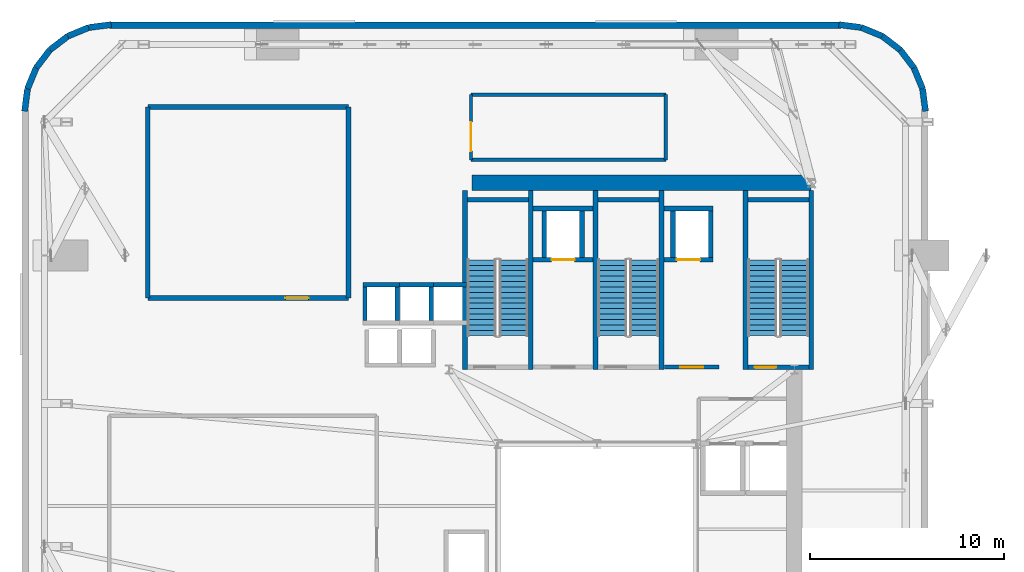
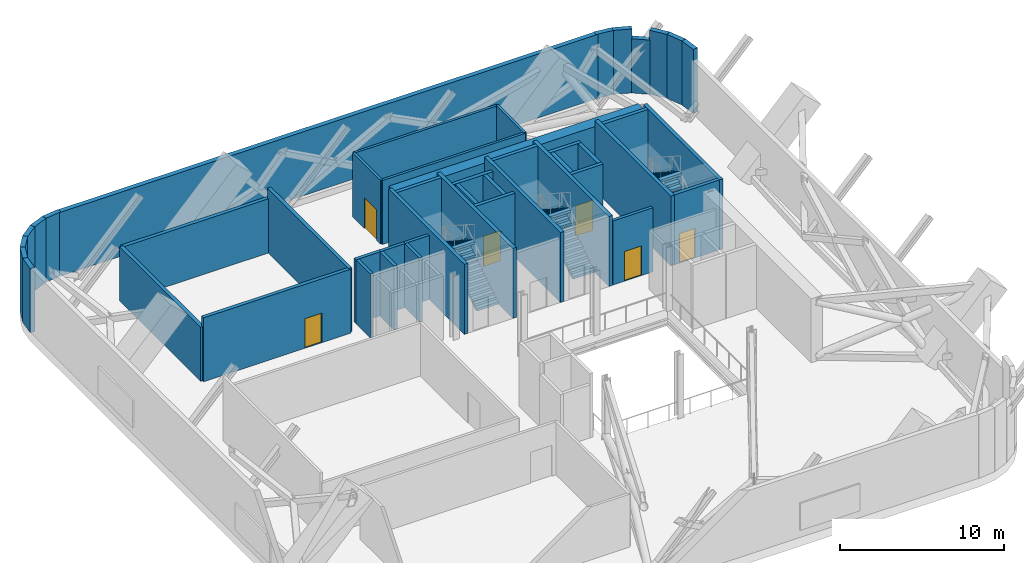
# One storey, part 9 of 12: 47 walls, 6 doors, 6 stair flights, 6 openings, 3 elements without a shape of their own.
"""IFC4 building model written with IfcOpenShell, lengths in metres."""

from ifc_helpers import new_model, si_unit, direction, frame, frame_2d, origin, place, context, subcontext, project, spatial, polyline, rectangle, outline, extrude, source, transform, mapped, material, layer, layer_set, type_object, element, fill, aggregate, save


model = new_model("IFC4")

# Units and contexts
model_context = context("Model", 3, precision=1e-05, world=origin(), true_north=direction((0.0, 1.0)))
body_context = subcontext(model_context, "Body", "Model", "MODEL_VIEW")
ifc_project = project(units=[si_unit("LENGTHUNIT", "METRE"), si_unit("AREAUNIT", "SQUARE_METRE"), si_unit("VOLUMEUNIT", "CUBIC_METRE"), si_unit("PLANEANGLEUNIT", "RADIAN"), si_unit("MASSUNIT", "GRAM", prefix="KILO")], contexts=[model_context])

# Site, building, storey
site_placement = place(None, origin())
site = spatial("IfcSite", under=ifc_project, at=site_placement, CompositionType="ELEMENT")
building_placement = place(site_placement, origin())
building = spatial("IfcBuilding", under=site, at=building_placement, Name="Vardaveli Station Tower", CompositionType="ELEMENT")
storey_placement = place(building_placement, frame((0.0, 0.0, 166.800048828125)))
storey = spatial("IfcBuildingStorey", under=building, at=storey_placement, Name="L43", CompositionType="ELEMENT", Elevation=166.800048828125)

# Walls
ifc_material_1 = material(Name="Concrete C50/60", Category="concrete")
ifc_layer_1 = layer(ifc_material_1, 0.800048828125, Name="Concrete C50/60")
ifc_layer_set_1 = layer_set([ifc_layer_1], Name="Concrete C50/60")
wall_type_1 = type_object("IfcWallType", Name="WAL-CORE-800", PredefinedType="SHEAR", material=ifc_layer_set_1)
shared_shape_1 = source(origin(), body_context, "Body", "SweptSolid", [
    extrude(rectangle(XDim=17.52001953125, YDim=0.800048828125, at=frame_2d((8.760009765625, 0.0))), origin(), (0.0, 0.0, 1.0), 4.75),
])
wall_1_placement = place(storey_placement, frame((29.85009765625, 40.300048828125, 0.0), z_axis=(0.0, 0.0, 1.0), x_axis=(1.0, 0.0, 0.0)))
element("IfcWall", 1, at=wall_1_placement, inside=storey, type_object=wall_type_1, Name="SW-L43-NORTH", PredefinedType="SHEAR", context=body_context, shape_type="MappedRepresentation", body=[
    mapped(shared_shape_1, transform((0.0, 0.0, 0.0), scale=1.0)),
])
ifc_material_2 = material(Name="Precast concrete C45/55", Category="concrete")
ifc_layer_2 = layer(ifc_material_2, 0.320068359375, Name="Precast concrete C45/55")
ifc_layer_set_2 = layer_set([ifc_layer_2], Name="Precast concrete C45/55")
wall_type_2 = type_object("IfcWallType", Name="WAL-EXT-STONE-320", PredefinedType="SOLIDWALL", material=ifc_layer_set_2)
shared_shape_2 = source(origin(), body_context, "Body", "SweptSolid", [
    extrude(rectangle(XDim=37.7998046875, YDim=0.320068359375, at=frame_2d((18.89990234375, 0.0))), origin(), (0.0, 0.0, 1.0), 4.75),
])
wall_2_placement = place(storey_placement, frame((48.89990234375, 48.43994140625, 0.0), z_axis=(0.0, 0.0, 1.0), x_axis=(-1.0, 0.0, 0.0)))
element("IfcWall", 2, at=wall_2_placement, inside=storey, type_object=wall_type_2, Name="EW-L43-N", PredefinedType="SOLIDWALL", context=body_context, shape_type="MappedRepresentation", body=[
    mapped(shared_shape_2, transform((0.0, 0.0, 0.0), scale=1.0)),
])
shared_shape_3 = source(origin(), body_context, "Body", "SweptSolid", [
    extrude(rectangle(XDim=1.1689453125, YDim=0.320068359375, at=frame_2d((0.58447265625, 0.0))), origin(), (0.0, 0.0, 1.0), 4.75),
])
for number, where, z_axis, x_axis, name in (
    (3, (52.679931640625, 46.2412109375, 0.0), (0.0, 0.0, 1.0), (-0.608387696831, 0.793639975269, 0.0), "EW-L43-CR3-3"),
    (4, (8.03125, 47.1689453125, 0.0), (0.0, 0.0, 1.0), (-0.608387696831, -0.793639975269, 0.0), "EW-L43-CR4-4"),
):
    element("IfcWall", number, at=place(storey_placement, frame(where, z_axis=z_axis, x_axis=x_axis)), inside=storey, type_object=wall_type_2, Name=name, PredefinedType="SOLIDWALL", context=body_context, shape_type="MappedRepresentation", body=[
        mapped(shared_shape_3, transform((0.0, 0.0, 0.0), scale=1.0)),
    ])
shared_shape_4 = source(origin(), body_context, "Body", "SweptSolid", [
    extrude(rectangle(XDim=1.168701171875, YDim=0.320068359375, at=frame_2d((0.58447265625, 0.0))), origin(), (0.0, 0.0, 1.0), 4.75),
])
wall_3_placement = place(storey_placement, frame((8.958740234375, 47.8798828125, 0.0), z_axis=(0.0, 0.0, 1.0), x_axis=(-0.793663520347, -0.608356981114, 0.0)))
element("IfcWall", 5, at=wall_3_placement, inside=storey, type_object=wall_type_2, Name="EW-L43-CR4-3", PredefinedType="SOLIDWALL", context=body_context, shape_type="MappedRepresentation", body=[
    mapped(shared_shape_4, transform((0.0, 0.0, 0.0), scale=1.0)),
])
shared_shape_5 = source(origin(), body_context, "Body", "SweptSolid", [
    extrude(rectangle(XDim=1.168701171875, YDim=0.320068359375, at=frame_2d((0.58447265625, 0.0))), origin(), (0.0, 0.0, 1.0), 4.029052734375),
])
wall_4_placement = place(storey_placement, frame((51.96875, 47.1689453125, 0.0), z_axis=(0.0, 0.0, 1.0), x_axis=(-0.793663520347, 0.608356981114, 0.0)))
element("IfcWall", 6, at=wall_4_placement, inside=storey, type_object=wall_type_2, Name="EW-L43-CR3-4", PredefinedType="SOLIDWALL", context=body_context, shape_type="MappedRepresentation", body=[
    mapped(shared_shape_5, transform((0.0, 0.0, 0.0), scale=1.0)),
])
shared_shape_6 = source(origin(), body_context, "Body", "SweptSolid", [
    extrude(rectangle(XDim=1.17041015625, YDim=0.320068359375, at=frame_2d((0.585205078125, 0.0))), origin(), (0.0, 0.0, 1.0), 4.75),
])
for number, where, z_axis, x_axis, name in (
    (7, (53.275634765625, 43.99951171875, 0.0), (0.0, 0.0, 1.0), (-0.128295670475, 0.991735963317, 0.0), "EW-L43-CR3-1"),
    (8, (49.960205078125, 48.325439453125, 0.0), (0.0, 0.0, 1.0), (-0.991735963317, 0.128295670475, 0.0), "EW-L43-CR3-6"),
    (9, (11.200439453125, 48.4755859375, 0.0), (0.0, 0.0, 1.0), (-0.991735963317, -0.128295670475, 0.0), "EW-L43-CR4-1"),
    (10, (6.87451171875, 45.16015625, 0.0), (0.0, 0.0, 1.0), (-0.128295670475, -0.991735963317, 0.0), "EW-L43-CR4-6"),
):
    element("IfcWall", number, at=place(storey_placement, frame(where, z_axis=z_axis, x_axis=x_axis)), inside=storey, type_object=wall_type_2, Name=name, PredefinedType="SOLIDWALL", context=body_context, shape_type="MappedRepresentation", body=[
        mapped(shared_shape_6, transform((0.0, 0.0, 0.0), scale=1.0)),
    ])
shared_shape_7 = source(origin(), body_context, "Body", "SweptSolid", [
    extrude(rectangle(XDim=1.169189453125, YDim=0.320068359375, at=frame_2d((0.58447265625, 0.0))), origin(), (0.0, 0.0, 1.0), 4.75),
])
for number, where, z_axis, x_axis, name in (
    (11, (53.12548828125, 45.16015625, 0.0), (0.0, 0.0, 1.0), (-0.381054331552, 0.924552646638, 0.0), "EW-L43-CR3-2"),
    (12, (51.041259765625, 47.8798828125, 0.0), (0.0, 0.0, 1.0), (-0.924552646638, 0.381054331552, 0.0), "EW-L43-CR3-5"),
    (13, (10.039794921875, 48.325439453125, 0.0), (0.0, 0.0, 1.0), (-0.924552646638, -0.381054331552, 0.0), "EW-L43-CR4-2"),
    (14, (7.320068359375, 46.2412109375, 0.0), (0.0, 0.0, 1.0), (-0.381054331552, -0.924552646638, 0.0), "EW-L43-CR4-5"),
):
    element("IfcWall", number, at=place(storey_placement, frame(where, z_axis=z_axis, x_axis=x_axis)), inside=storey, type_object=wall_type_2, Name=name, PredefinedType="SOLIDWALL", context=body_context, shape_type="MappedRepresentation", body=[
        mapped(shared_shape_7, transform((0.0, 0.0, 0.0), scale=1.0)),
    ])
ifc_material_3 = material(Name="Concrete C40/50", Category="concrete")
ifc_layer_3 = layer(ifc_material_3, 0.25, Name="Concrete C40/50")
ifc_layer_set_3 = layer_set([ifc_layer_3], Name="Concrete C40/50")
wall_type_3 = type_object("IfcWallType", Name="WAL-SHAFT-250", PredefinedType="SOLIDWALL", material=ifc_layer_set_3)
shared_shape_8 = source(origin(), body_context, "Body", "SweptSolid", [
    extrude(rectangle(XDim=3.14990234375, YDim=0.25, at=frame_2d((1.574951171875, 0.0))), origin(), (0.0, 0.0, 1.0), 5.199951171875),
])
for number, where, z_axis, x_axis, name in (
    (15, (29.60009765625, 39.425048828125, 0.0), (0.0, 0.0, 1.0), (1.0, 0.0, 0.0), "W-L43-ST-1N"),
    (16, (36.35009765625, 39.425048828125, 0.0), (0.0, 0.0, 1.0), (1.0, 0.0, 0.0), "W-L43-ST-2N"),
    (17, (44.10009765625, 39.425048828125, 0.0), (0.0, 0.0, 1.0), (1.0, 0.0, 0.0), "W-L43-ST-3N"),
):
    element("IfcWall", number, at=place(storey_placement, frame(where, z_axis=z_axis, x_axis=x_axis)), inside=storey, type_object=wall_type_3, Name=name, PredefinedType="SOLIDWALL", context=body_context, shape_type="MappedRepresentation", body=[
        mapped(shared_shape_8, transform((0.0, 0.0, 0.0), scale=1.0)),
    ])

# Wall, opening, door
wall_5_placement = place(storey_placement, frame((44.10009765625, 30.77490234375, 0.0), z_axis=(0.0, 0.0, 1.0), x_axis=(1.0, 0.0, 0.0)))
wall_5 = element("IfcWall", 18, at=wall_5_placement, inside=storey, type_object=wall_type_3, Name="W-L43-ST-3S", PredefinedType="SOLIDWALL", context=body_context, shape_type="MappedRepresentation", body=[
    mapped(shared_shape_8, transform((0.0, 0.0, 0.0), scale=1.0)),
])
shared_shape_9 = source(origin(), body_context, "Body", "SweptSolid", [
    extrude(rectangle(XDim=1.10009765625, YDim=2.199951171875, at=frame_2d((0.550048828125, 1.10009765625))), frame((0.0, 0.135009765625, 0.0), z_axis=(0.0, -1.0, 0.0), x_axis=(1.0, 0.0, 0.0)), (0.0, 0.0, 1.0), 0.27001953125),
])
opening_1_placement = place(wall_5_placement, frame((0.35009765625, 0.0, 0.0)))
opening_1 = element("IfcOpeningElement", 19, at=opening_1_placement, cuts=wall_5, Name="Opening D-04", PredefinedType="OPENING", context=body_context, shape_type="MappedRepresentation", body=[
    mapped(shared_shape_9, transform((0.0, 0.0, 0.0), scale=1.0)),
])
ifc_material_4 = material(Name="Steel smokeproof fire doorset", Category="steel")
door_type_1 = type_object("IfcDoorType", Name="DR-ST-1100x2200", OperationType="NOTDEFINED", PredefinedType="DOOR", material=ifc_material_4)
shared_shape_10 = source(origin(), body_context, "Body", "SweptSolid", [
    extrude(rectangle(XDim=1.10009765625, YDim=2.199951171875, at=frame_2d((0.550048828125, 1.10009765625))), frame((0.0, 0.02490234375, 0.0), z_axis=(0.0, -1.0, 0.0), x_axis=(1.0, 0.0, 0.0)), (0.0, 0.0, 1.0), 0.050048828125),
])
door_1_placement = place(opening_1_placement, origin())
door_1 = element("IfcDoor", 20, at=door_1_placement, inside=storey, type_object=door_type_1, Name="DST-3-L43", OperationType="SINGLE_SWING_LEFT", OverallHeight=2.199951171875, OverallWidth=1.10009765625, PredefinedType="DOOR", context=body_context, shape_type="MappedRepresentation", body=[
    mapped(shared_shape_10, transform((0.0, 0.0, 0.0), scale=1.0)),
])
fill(opening_1, door_1)

ifc_layer_4 = layer(ifc_material_3, 0.219970703125, Name="Concrete C40/50")
ifc_layer_set_4 = layer_set([ifc_layer_4], Name="Concrete C40/50")
wall_type_4 = type_object("IfcWallType", Name="WAL-FFLOBBY-220", PredefinedType="SOLIDWALL", material=ifc_layer_set_4)
shared_shape_11 = source(origin(), body_context, "Body", "SweptSolid", [
    extrude(rectangle(XDim=2.800048828125, YDim=0.219970703125, at=frame_2d((1.39990234375, 0.0))), origin(), (0.0, 0.0, 1.0), 4.75),
])
wall_6_placement = place(storey_placement, frame((39.800048828125, 30.780029296875, 0.0), z_axis=(0.0, 0.0, 1.0), x_axis=(1.0, 0.0, 0.0)))
wall_6 = element("IfcWall", 21, at=wall_6_placement, inside=storey, type_object=wall_type_4, Name="W-L43-FFL2S", PredefinedType="SOLIDWALL", context=body_context, shape_type="MappedRepresentation", body=[
    mapped(shared_shape_11, transform((0.0, 0.0, 0.0), scale=1.0)),
])
shared_shape_12 = source(origin(), body_context, "Body", "SweptSolid", [
    extrude(rectangle(XDim=1.199951171875, YDim=2.199951171875, at=frame_2d((0.60009765625, 1.10009765625))), frame((0.0, 0.1201171875, 0.0), z_axis=(0.0, -1.0, 0.0), x_axis=(1.0, 0.0, 0.0)), (0.0, 0.0, 1.0), 0.239990234375),
])
opening_2_placement = place(wall_6_placement, frame((0.800048828125, 0.0, 0.0)))
opening_2 = element("IfcOpeningElement", 22, at=opening_2_placement, cuts=wall_6, Name="Opening D-03", PredefinedType="OPENING", context=body_context, shape_type="MappedRepresentation", body=[
    mapped(shared_shape_12, transform((0.0, 0.0, 0.0), scale=1.0)),
])
door_type_2 = type_object("IfcDoorType", Name="DR-FFL-1200x2200", OperationType="NOTDEFINED", PredefinedType="DOOR", material=ifc_material_4)
shared_shape_13 = source(origin(), body_context, "Body", "SweptSolid", [
    extrude(rectangle(XDim=1.199951171875, YDim=2.199951171875, at=frame_2d((0.60009765625, 1.10009765625))), frame((0.0, 0.02490234375, 0.0), z_axis=(0.0, -1.0, 0.0), x_axis=(1.0, 0.0, 0.0)), (0.0, 0.0, 1.0), 0.050048828125),
])
door_2_placement = place(opening_2_placement, origin())
door_2 = element("IfcDoor", 23, at=door_2_placement, inside=storey, type_object=door_type_2, Name="DFFL2-L43", OperationType="SINGLE_SWING_RIGHT", OverallHeight=2.199951171875, OverallWidth=1.199951171875, PredefinedType="DOOR", context=body_context, shape_type="MappedRepresentation", body=[
    mapped(shared_shape_13, transform((0.0, 0.0, 0.0), scale=1.0)),
])
fill(opening_2, door_2)

# Walls
shared_shape_14 = source(origin(), body_context, "Body", "SweptSolid", [
    extrude(rectangle(XDim=9.25, YDim=0.25, at=frame_2d((4.625, 0.0))), origin(), (0.0, 0.0, 1.0), 5.199951171875),
])
for number, where, z_axis, x_axis, name in (
    (24, (29.47509765625, 30.64990234375, 0.0), (0.0, 0.0, 1.0), (0.0, 1.0, 0.0), "W-L43-ST-1W"),
    (25, (32.875, 30.64990234375, 0.0), (0.0, 0.0, 1.0), (0.0, 1.0, 0.0), "W-L43-ST-1E"),
    (26, (36.22509765625, 30.64990234375, 0.0), (0.0, 0.0, 1.0), (0.0, 1.0, 0.0), "W-L43-ST-2W"),
    (27, (39.625, 30.64990234375, 0.0), (0.0, 0.0, 1.0), (0.0, 1.0, 0.0), "W-L43-ST-2E"),
    (28, (43.97509765625, 30.64990234375, 0.0), (0.0, 0.0, 1.0), (0.0, 1.0, 0.0), "W-L43-ST-3W"),
    (29, (47.375, 30.64990234375, 0.0), (0.0, 0.0, 1.0), (0.0, 1.0, 0.0), "W-L43-ST-3E"),
):
    element("IfcWall", number, at=place(storey_placement, frame(where, z_axis=z_axis, x_axis=x_axis)), inside=storey, type_object=wall_type_3, Name=name, PredefinedType="SOLIDWALL", context=body_context, shape_type="MappedRepresentation", body=[
        mapped(shared_shape_14, transform((0.0, 0.0, 0.0), scale=1.0)),
    ])
shared_shape_15 = source(origin(), body_context, "Body", "SweptSolid", [
    extrude(rectangle(XDim=1.75, YDim=0.219970703125, at=frame_2d((0.875, 0.0))), origin(), (0.0, 0.0, 1.0), 4.75),
])
for number, where, z_axis, x_axis, name in (
    (30, (24.31494140625, 33.175048828125, 0.0), (0.0, 0.0, 1.0), (0.0, 1.0, 0.0), "SHW-HL2-01-L43-W"),
    (31, (25.985107421875, 33.175048828125, 0.0), (0.0, 0.0, 1.0), (0.0, 1.0, 0.0), "SHW-HL2-01-L43-E"),
    (32, (27.735107421875, 33.175048828125, 0.0), (0.0, 0.0, 1.0), (0.0, 1.0, 0.0), "SHW-HL2-02-L43-E"),
):
    element("IfcWall", number, at=place(storey_placement, frame(where, z_axis=z_axis, x_axis=x_axis)), inside=storey, type_object=wall_type_4, Name=name, PredefinedType="SOLIDWALL", context=body_context, shape_type="MappedRepresentation", body=[
        mapped(shared_shape_15, transform((0.0, 0.0, 0.0), scale=1.0)),
    ])
shared_shape_16 = source(origin(), body_context, "Body", "SweptSolid", [
    extrude(rectangle(XDim=1.889892578125, YDim=0.219970703125, at=frame_2d((0.94482421875, 0.0))), origin(), (0.0, 0.0, 1.0), 4.75),
])
for number, where, z_axis, x_axis, name in (
    (33, (24.205078125, 35.034912109375, 0.0), (0.0, 0.0, 1.0), (1.0, 0.0, 0.0), "SHW-HL2-01-L43-N"),
    (34, (25.955078125, 35.034912109375, 0.0), (0.0, 0.0, 1.0), (1.0, 0.0, 0.0), "SHW-HL2-02-L43-N"),
    (35, (27.655029296875, 35.034912109375, 0.0), (0.0, 0.0, 1.0), (1.0, 0.0, 0.0), "SHW-HL2-03-L43-N"),
):
    element("IfcWall", number, at=place(storey_placement, frame(where, z_axis=z_axis, x_axis=x_axis)), inside=storey, type_object=wall_type_4, Name=name, PredefinedType="SOLIDWALL", context=body_context, shape_type="MappedRepresentation", body=[
        mapped(shared_shape_16, transform((0.0, 0.0, 0.0), scale=1.0)),
    ])

# Wall, opening, door
shared_shape_17 = source(origin(), body_context, "Body", "SweptSolid", [
    extrude(rectangle(XDim=3.10009765625, YDim=0.25, at=frame_2d((1.550048828125, 0.0))), origin(), (0.0, 0.0, 1.0), 4.75),
])
wall_7_placement = place(storey_placement, frame((33.0, 36.324951171875, 0.0), z_axis=(0.0, 0.0, 1.0), x_axis=(1.0, 0.0, 0.0)))
wall_7 = element("IfcWall", 36, at=wall_7_placement, inside=storey, type_object=wall_type_3, Name="SHW-FFL-01-L43-S", PredefinedType="SOLIDWALL", context=body_context, shape_type="MappedRepresentation", body=[
    mapped(shared_shape_17, transform((0.0, 0.0, 0.0), scale=1.0)),
])
shared_shape_18 = source(origin(), body_context, "Body", "SweptSolid", [
    extrude(rectangle(XDim=1.199951171875, YDim=2.25, at=frame_2d((0.60009765625, 1.125))), frame((0.0, 0.135009765625, 0.0), z_axis=(0.0, -1.0, 0.0), x_axis=(1.0, 0.0, 0.0)), (0.0, 0.0, 1.0), 0.27001953125),
])
opening_3_placement = place(wall_7_placement, frame((0.949951171875, 0.0, 0.0)))
opening_3 = element("IfcOpeningElement", 37, at=opening_3_placement, cuts=wall_7, Name="Opening LD-02", PredefinedType="OPENING", context=body_context, shape_type="MappedRepresentation", body=[
    mapped(shared_shape_18, transform((0.0, 0.0, 0.0), scale=1.0)),
])
ifc_material_5 = material(Name="Brushed stainless steel", Category="steel")
door_type_3 = type_object("IfcDoorType", Name="DR-LD-1200x2250", OperationType="DOUBLE_DOOR_SLIDING", PredefinedType="DOOR", material=ifc_material_5)
shared_shape_19 = source(origin(), body_context, "Body", "SweptSolid", [
    extrude(rectangle(XDim=1.199951171875, YDim=2.25, at=frame_2d((0.60009765625, 1.125))), frame((0.0, 0.02490234375, 0.0), z_axis=(0.0, -1.0, 0.0), x_axis=(1.0, 0.0, 0.0)), (0.0, 0.0, 1.0), 0.050048828125),
])
door_3_placement = place(opening_3_placement, origin())
door_3 = element("IfcDoor", 38, at=door_3_placement, inside=storey, type_object=door_type_3, Name="LD-FFL-01-L43", OperationType="DOUBLE_DOOR_SLIDING", OverallHeight=2.25, OverallWidth=1.199951171875, PredefinedType="DOOR", context=body_context, shape_type="MappedRepresentation", body=[
    mapped(shared_shape_19, transform((0.0, 0.0, 0.0), scale=1.0)),
])
fill(opening_3, door_3)

# Walls
wall_8_placement = place(storey_placement, frame((33.0, 38.97509765625, 0.0), z_axis=(0.0, 0.0, 1.0), x_axis=(1.0, 0.0, 0.0)))
element("IfcWall", 39, at=wall_8_placement, inside=storey, type_object=wall_type_3, Name="SHW-FFL-01-L43-N", PredefinedType="SOLIDWALL", context=body_context, shape_type="MappedRepresentation", body=[
    mapped(shared_shape_17, transform((0.0, 0.0, 0.0), scale=1.0)),
])
shared_shape_20 = source(origin(), body_context, "Body", "SweptSolid", [
    extrude(rectangle(XDim=2.400146484375, YDim=0.25, at=frame_2d((1.2001953125, 0.0))), origin(), (0.0, 0.0, 1.0), 4.75),
])
for number, where, z_axis, x_axis, name in (
    (40, (33.574951171875, 36.449951171875, 0.0), (0.0, 0.0, 1.0), (0.0, 1.0, 0.0), "SHW-FFL-01-L43-W"),
    (41, (35.52490234375, 36.449951171875, 0.0), (0.0, 0.0, 1.0), (0.0, 1.0, 0.0), "SHW-FFL-01-L43-E"),
    (42, (40.22509765625, 36.449951171875, 0.0), (0.0, 0.0, 1.0), (0.0, 1.0, 0.0), "SHW-FFL-02-L43-W"),
    (43, (42.175048828125, 36.449951171875, 0.0), (0.0, 0.0, 1.0), (0.0, 1.0, 0.0), "SHW-FFL-02-L43-E"),
):
    element("IfcWall", number, at=place(storey_placement, frame(where, z_axis=z_axis, x_axis=x_axis)), inside=storey, type_object=wall_type_3, Name=name, PredefinedType="SOLIDWALL", context=body_context, shape_type="MappedRepresentation", body=[
        mapped(shared_shape_20, transform((0.0, 0.0, 0.0), scale=1.0)),
    ])

# Wall, opening, door
shared_shape_21 = source(origin(), body_context, "Body", "SweptSolid", [
    extrude(rectangle(XDim=2.550048828125, YDim=0.25, at=frame_2d((1.27490234375, 0.0))), origin(), (0.0, 0.0, 1.0), 4.75),
])
wall_9_placement = place(storey_placement, frame((39.75, 36.324951171875, 0.0), z_axis=(0.0, 0.0, 1.0), x_axis=(1.0, 0.0, 0.0)))
wall_9 = element("IfcWall", 44, at=wall_9_placement, inside=storey, type_object=wall_type_3, Name="SHW-FFL-02-L43-S", PredefinedType="SOLIDWALL", context=body_context, shape_type="MappedRepresentation", body=[
    mapped(shared_shape_21, transform((0.0, 0.0, 0.0), scale=1.0)),
])
opening_4_placement = place(wall_9_placement, frame((0.675048828125, 0.0, 0.0)))
opening_4 = element("IfcOpeningElement", 45, at=opening_4_placement, cuts=wall_9, Name="Opening LD-02", PredefinedType="OPENING", context=body_context, shape_type="MappedRepresentation", body=[
    mapped(shared_shape_18, transform((0.0, 0.0, 0.0), scale=1.0)),
])
door_4_placement = place(opening_4_placement, origin())
door_4 = element("IfcDoor", 46, at=door_4_placement, inside=storey, type_object=door_type_3, Name="LD-FFL-02-L43", OperationType="DOUBLE_DOOR_SLIDING", OverallHeight=2.25, OverallWidth=1.199951171875, PredefinedType="DOOR", context=body_context, shape_type="MappedRepresentation", body=[
    mapped(shared_shape_19, transform((0.0, 0.0, 0.0), scale=1.0)),
])
fill(opening_4, door_4)

# Wall
wall_10_placement = place(storey_placement, frame((39.75, 38.97509765625, 0.0), z_axis=(0.0, 0.0, 1.0), x_axis=(1.0, 0.0, 0.0)))
element("IfcWall", 47, at=wall_10_placement, inside=storey, type_object=wall_type_3, Name="SHW-FFL-02-L43-N", PredefinedType="SOLIDWALL", context=body_context, shape_type="MappedRepresentation", body=[
    mapped(shared_shape_21, transform((0.0, 0.0, 0.0), scale=1.0)),
])

# Wall, opening, door
ifc_material_6 = material(Name="Fire-rated gypsum stud partition")
ifc_layer_5 = layer(ifc_material_6, 0.179931640625, Name="Fire-rated gypsum stud partition")
ifc_layer_set_5 = layer_set([ifc_layer_5], Name="Fire-rated gypsum stud partition")
wall_type_5 = type_object("IfcWallType", Name="WAL-CORR-180", PredefinedType="PARTITIONING", material=ifc_layer_set_5)
shared_shape_22 = source(origin(), body_context, "Body", "SweptSolid", [
    extrude(rectangle(XDim=3.3701171875, YDim=0.179931640625, at=frame_2d((1.68505859375, 0.0))), origin(), (0.0, 0.0, 1.0), 4.75),
])
wall_11_placement = place(storey_placement, frame((29.7900390625, 41.489990234375, 0.0), z_axis=(0.0, 0.0, 1.0), x_axis=(0.0, 1.0, 0.0)))
wall_11 = element("IfcWall", 48, at=wall_11_placement, inside=storey, type_object=wall_type_5, Name="W-L43-PL2-W", PredefinedType="PARTITIONING", context=body_context, shape_type="MappedRepresentation", body=[
    mapped(shared_shape_22, transform((0.0, 0.0, 0.0), scale=1.0)),
])
shared_shape_23 = source(origin(), body_context, "Body", "SweptSolid", [
    extrude(rectangle(XDim=1.5, YDim=2.300048828125, at=frame_2d((0.75, 1.14990234375))), frame((0.0, 0.10009765625, 0.0), z_axis=(0.0, -1.0, 0.0), x_axis=(1.0, 0.0, 0.0)), (0.0, 0.0, 1.0), 0.199951171875),
])
opening_5_placement = place(wall_11_placement, frame((0.449951171875, 0.0, 0.0)))
opening_5 = element("IfcOpeningElement", 49, at=opening_5_placement, cuts=wall_11, Name="Opening D-02", PredefinedType="OPENING", context=body_context, shape_type="MappedRepresentation", body=[
    mapped(shared_shape_23, transform((0.0, 0.0, 0.0), scale=1.0)),
])
ifc_material_7 = material(Name="Galvanised steel acoustic doorset", Category="steel")
door_type_4 = type_object("IfcDoorType", Name="DR-PLANT-1500x2300", OperationType="DOUBLE_DOOR_SINGLE_SWING", PredefinedType="DOOR", material=ifc_material_7)
shared_shape_24 = source(origin(), body_context, "Body", "SweptSolid", [
    extrude(rectangle(XDim=1.5, YDim=2.300048828125, at=frame_2d((0.75, 1.14990234375))), frame((0.0, 0.02490234375, 0.0), z_axis=(0.0, -1.0, 0.0), x_axis=(1.0, 0.0, 0.0)), (0.0, 0.0, 1.0), 0.050048828125),
])
door_5_placement = place(opening_5_placement, origin())
door_5 = element("IfcDoor", 50, at=door_5_placement, inside=storey, type_object=door_type_4, Name="D-L43-P2", OperationType="DOUBLE_DOOR_SINGLE_SWING", OverallHeight=2.300048828125, OverallWidth=1.5, PredefinedType="DOOR", context=body_context, shape_type="MappedRepresentation", body=[
    mapped(shared_shape_24, transform((0.0, 0.0, 0.0), scale=1.0)),
])
fill(opening_5, door_5)

# Walls
wall_12_placement = place(storey_placement, frame((39.860107421875, 41.489990234375, 0.0), z_axis=(0.0, 0.0, 1.0), x_axis=(0.0, 1.0, 0.0)))
element("IfcWall", 51, at=wall_12_placement, inside=storey, type_object=wall_type_5, Name="W-L43-PL2-E", PredefinedType="PARTITIONING", context=body_context, shape_type="MappedRepresentation", body=[
    mapped(shared_shape_22, transform((0.0, 0.0, 0.0), scale=1.0)),
])
shared_shape_25 = source(origin(), body_context, "Body", "SweptSolid", [
    extrude(rectangle(XDim=10.070068359375, YDim=0.179931640625, at=frame_2d((5.03515625, 0.0))), origin(), (0.0, 0.0, 1.0), 4.75),
])
for number, where, z_axis, x_axis, name in (
    (52, (29.7900390625, 41.489990234375, 0.0), (0.0, 0.0, 1.0), (1.0, 0.0, 0.0), "W-L43-PL2-S"),
    (53, (29.7900390625, 44.860107421875, 0.0), (0.0, 0.0, 1.0), (1.0, 0.0, 0.0), "W-L43-PL2-N"),
):
    element("IfcWall", number, at=place(storey_placement, frame(where, z_axis=z_axis, x_axis=x_axis)), inside=storey, type_object=wall_type_5, Name=name, PredefinedType="PARTITIONING", context=body_context, shape_type="MappedRepresentation", body=[
        mapped(shared_shape_25, transform((0.0, 0.0, 0.0), scale=1.0)),
    ])
shared_shape_26 = source(origin(), body_context, "Body", "SweptSolid", [
    extrude(rectangle(XDim=9.85986328125, YDim=0.25, at=frame_2d((4.929931640625, 0.0))), origin(), (0.0, 0.0, 1.0), 4.02587890625),
])
wall_13_placement = place(storey_placement, frame((13.090087890625, 34.35009765625, 0.0), z_axis=(0.0, 0.0, 1.0), x_axis=(0.0, 1.0, 0.0)))
element("IfcWall", 54, at=wall_13_placement, inside=storey, type_object=wall_type_3, Name="W-L43-REF-W", PredefinedType="SOLIDWALL", context=body_context, shape_type="MappedRepresentation", body=[
    mapped(shared_shape_26, transform((0.0, 0.0, 0.0), scale=1.0)),
])

# Wall, opening, door
shared_shape_27 = source(origin(), body_context, "Body", "SweptSolid", [
    extrude(rectangle(XDim=10.369873046875, YDim=0.25, at=frame_2d((5.18505859375, 0.0))), origin(), (0.0, 0.0, 1.0), 4.75),
])
wall_14_placement = place(storey_placement, frame((13.090087890625, 34.35009765625, 0.0), z_axis=(0.0, 0.0, 1.0), x_axis=(1.0, 0.0, 0.0)))
wall_14 = element("IfcWall", 55, at=wall_14_placement, inside=storey, type_object=wall_type_3, Name="W-L43-REF-S", PredefinedType="SOLIDWALL", context=body_context, shape_type="MappedRepresentation", body=[
    mapped(shared_shape_27, transform((0.0, 0.0, 0.0), scale=1.0)),
])
shared_shape_28 = source(origin(), body_context, "Body", "SweptSolid", [
    extrude(rectangle(XDim=1.199951171875, YDim=2.199951171875, at=frame_2d((0.60009765625, 1.10009765625))), frame((0.0, 0.135009765625, 0.0), z_axis=(0.0, -1.0, 0.0), x_axis=(1.0, 0.0, 0.0)), (0.0, 0.0, 1.0), 0.27001953125),
])
opening_6_placement = place(wall_14_placement, frame((7.110107421875, 0.0, 0.0)))
opening_6 = element("IfcOpeningElement", 56, at=opening_6_placement, cuts=wall_14, Name="Opening D-03", PredefinedType="OPENING", context=body_context, shape_type="MappedRepresentation", body=[
    mapped(shared_shape_28, transform((0.0, 0.0, 0.0), scale=1.0)),
])
door_6_placement = place(opening_6_placement, origin())
door_6 = element("IfcDoor", 57, at=door_6_placement, inside=storey, type_object=door_type_2, Name="D-L43-REF", OperationType="SINGLE_SWING_RIGHT", OverallHeight=2.199951171875, OverallWidth=1.199951171875, PredefinedType="DOOR", context=body_context, shape_type="MappedRepresentation", body=[
    mapped(shared_shape_13, transform((0.0, 0.0, 0.0), scale=1.0)),
])
fill(opening_6, door_6)

# Walls
shared_shape_29 = source(origin(), body_context, "Body", "SweptSolid", [
    extrude(rectangle(XDim=10.369873046875, YDim=0.25, at=frame_2d((5.18505859375, 0.0))), origin(), (0.0, 0.0, 1.0), 4.02587890625),
])
wall_15_placement = place(storey_placement, frame((13.090087890625, 44.2099609375, 0.0), z_axis=(0.0, 0.0, 1.0), x_axis=(1.0, 0.0, 0.0)))
element("IfcWall", 58, at=wall_15_placement, inside=storey, type_object=wall_type_3, Name="W-L43-REF-N", PredefinedType="SOLIDWALL", context=body_context, shape_type="MappedRepresentation", body=[
    mapped(shared_shape_29, transform((0.0, 0.0, 0.0), scale=1.0)),
])
shared_shape_30 = source(origin(), body_context, "Body", "SweptSolid", [
    extrude(rectangle(XDim=9.85986328125, YDim=0.25, at=frame_2d((4.929931640625, 0.0))), origin(), (0.0, 0.0, 1.0), 4.75),
])
wall_16_placement = place(storey_placement, frame((23.4599609375, 34.35009765625, 0.0), z_axis=(0.0, 0.0, 1.0), x_axis=(0.0, 1.0, 0.0)))
element("IfcWall", 59, at=wall_16_placement, inside=storey, type_object=wall_type_3, Name="W-L43-REF-E", PredefinedType="SOLIDWALL", context=body_context, shape_type="MappedRepresentation", body=[
    mapped(shared_shape_30, transform((0.0, 0.0, 0.0), scale=1.0)),
])

# Stair, stair flights
stair_type = type_object("IfcStairType", Name="STR-CORE-1500", PredefinedType="HALF_TURN_STAIR", material=ifc_material_3)
stair_1_placement = place(storey_placement, origin())
stair_1 = element("IfcStair", 60, at=stair_1_placement, inside=storey, type_object=stair_type, Name="L43 ST-1", PredefinedType="HALF_TURN_STAIR")
stair_flight_type = type_object("IfcStairFlightType", Name="SFL-CORE-1500", PredefinedType="STRAIGHT", material=ifc_material_3)
shared_shape_31 = source(origin(), body_context, "Body", "SweptSolid", [
    extrude(outline(polyline([(0.0, 0.0), (0.0, 0.179931640625), (0.280029296875, 0.179931640625), (0.280029296875, 0.360107421875), (0.56005859375, 0.360107421875), (0.56005859375, 0.5400390625), (0.840087890625, 0.5400390625), (0.840087890625, 0.719970703125), (1.1201171875, 0.719970703125), (1.1201171875, 0.89990234375), (1.39990234375, 0.89990234375), (1.39990234375, 1.080078125), (1.679931640625, 1.080078125), (1.679931640625, 1.260009765625), (1.9599609375, 1.260009765625), (1.9599609375, 1.43994140625), (2.239990234375, 1.43994140625), (2.239990234375, 1.6201171875), (2.52001953125, 1.6201171875), (2.52001953125, 1.800048828125), (2.800048828125, 1.800048828125), (2.800048828125, 1.97998046875), (3.080078125, 1.97998046875), (3.080078125, 2.159912109375), (3.360107421875, 2.159912109375), (3.360107421875, 2.340087890625), (3.639892578125, 2.340087890625), (3.639892578125, 2.52001953125), (3.919921875, 2.52001953125), (3.919921875, 2.699951171875), (3.919921875, 2.341796875), (0.277099609375, 0.0), (0.0, 0.0)])), frame((0.0, 0.75, 0.0), z_axis=(0.0, -1.0, 0.0), x_axis=(1.0, 0.0, 0.0)), (0.0, 0.0, 1.0), 1.5),
])
stair_flight_1_placement = place(storey_placement, frame((32.0, 32.39990234375, 0.0), z_axis=(0.0, 0.0, 1.0), x_axis=(0.0, 1.0, 0.0)))
stair_flight_1 = element("IfcStairFlight", 61, at=stair_flight_1_placement, type_object=stair_flight_type, Name="ST-1 flight 1", NumberOfRisers=15, NumberOfTreads=14, PredefinedType="STRAIGHT", RiserHeight=0.18, TreadLength=0.28, context=body_context, shape_type="MappedRepresentation", body=[
    mapped(shared_shape_31, transform((0.0, 0.0, 0.0), scale=1.0)),
])
stair_flight_2_placement = place(storey_placement, frame((30.35009765625, 36.320068359375, 2.699951171875), z_axis=(0.0, 0.0, 1.0), x_axis=(0.0, -1.0, 0.0)))
stair_flight_2 = element("IfcStairFlight", 62, at=stair_flight_2_placement, type_object=stair_flight_type, Name="ST-1 flight 2", NumberOfRisers=15, NumberOfTreads=14, PredefinedType="STRAIGHT", RiserHeight=0.18, TreadLength=0.28, context=body_context, shape_type="MappedRepresentation", body=[
    mapped(shared_shape_31, transform((0.0, 0.0, 0.0), scale=1.0)),
])
aggregate(stair_1, [stair_flight_1, stair_flight_2])

stair_2_placement = place(storey_placement, origin())
stair_2 = element("IfcStair", 63, at=stair_2_placement, inside=storey, type_object=stair_type, Name="L43 ST-2", PredefinedType="HALF_TURN_STAIR")
stair_flight_3_placement = place(storey_placement, frame((38.75, 32.39990234375, 0.0), z_axis=(0.0, 0.0, 1.0), x_axis=(0.0, 1.0, 0.0)))
stair_flight_3 = element("IfcStairFlight", 64, at=stair_flight_3_placement, type_object=stair_flight_type, Name="ST-2 flight 1", NumberOfRisers=15, NumberOfTreads=14, PredefinedType="STRAIGHT", RiserHeight=0.18, TreadLength=0.28, context=body_context, shape_type="MappedRepresentation", body=[
    mapped(shared_shape_31, transform((0.0, 0.0, 0.0), scale=1.0)),
])
stair_flight_4_placement = place(storey_placement, frame((37.10009765625, 36.320068359375, 2.699951171875), z_axis=(0.0, 0.0, 1.0), x_axis=(0.0, -1.0, 0.0)))
stair_flight_4 = element("IfcStairFlight", 65, at=stair_flight_4_placement, type_object=stair_flight_type, Name="ST-2 flight 2", NumberOfRisers=15, NumberOfTreads=14, PredefinedType="STRAIGHT", RiserHeight=0.18, TreadLength=0.28, context=body_context, shape_type="MappedRepresentation", body=[
    mapped(shared_shape_31, transform((0.0, 0.0, 0.0), scale=1.0)),
])
aggregate(stair_2, [stair_flight_3, stair_flight_4])

stair_3_placement = place(storey_placement, origin())
stair_3 = element("IfcStair", 66, at=stair_3_placement, inside=storey, type_object=stair_type, Name="L43 ST-3", PredefinedType="HALF_TURN_STAIR")
stair_flight_5_placement = place(storey_placement, frame((46.5, 32.39990234375, 0.0), z_axis=(0.0, 0.0, 1.0), x_axis=(0.0, 1.0, 0.0)))
stair_flight_5 = element("IfcStairFlight", 67, at=stair_flight_5_placement, type_object=stair_flight_type, Name="ST-3 flight 1", NumberOfRisers=15, NumberOfTreads=14, PredefinedType="STRAIGHT", RiserHeight=0.18, TreadLength=0.28, context=body_context, shape_type="MappedRepresentation", body=[
    mapped(shared_shape_31, transform((0.0, 0.0, 0.0), scale=1.0)),
])
stair_flight_6_placement = place(storey_placement, frame((44.85009765625, 36.320068359375, 2.699951171875), z_axis=(0.0, 0.0, 1.0), x_axis=(0.0, -1.0, 0.0)))
stair_flight_6 = element("IfcStairFlight", 68, at=stair_flight_6_placement, type_object=stair_flight_type, Name="ST-3 flight 2", NumberOfRisers=15, NumberOfTreads=14, PredefinedType="STRAIGHT", RiserHeight=0.18, TreadLength=0.28, context=body_context, shape_type="MappedRepresentation", body=[
    mapped(shared_shape_31, transform((0.0, 0.0, 0.0), scale=1.0)),
])
aggregate(stair_3, [stair_flight_5, stair_flight_6])

save(model, "model.ifc")
